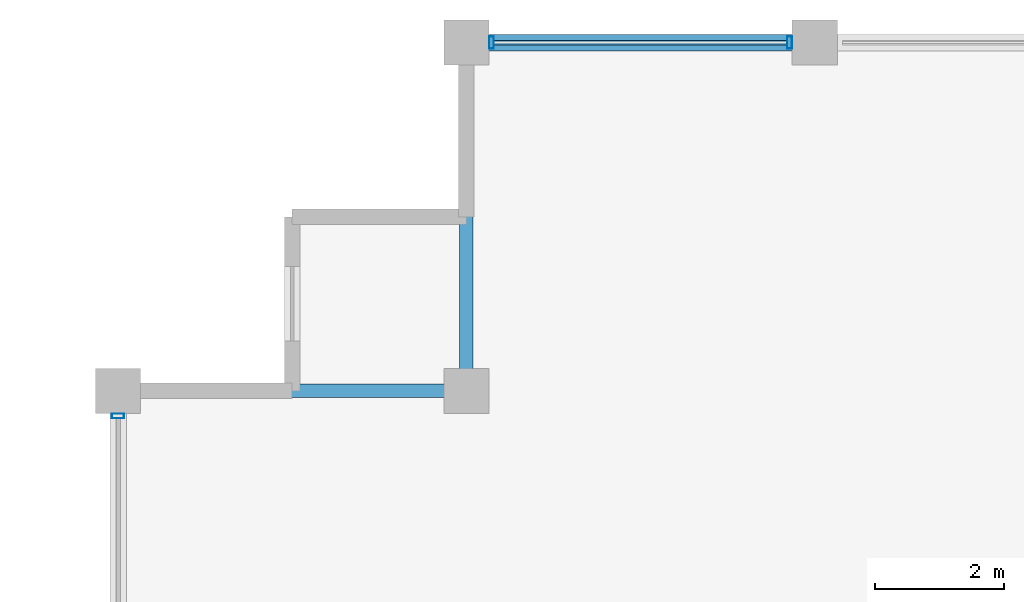
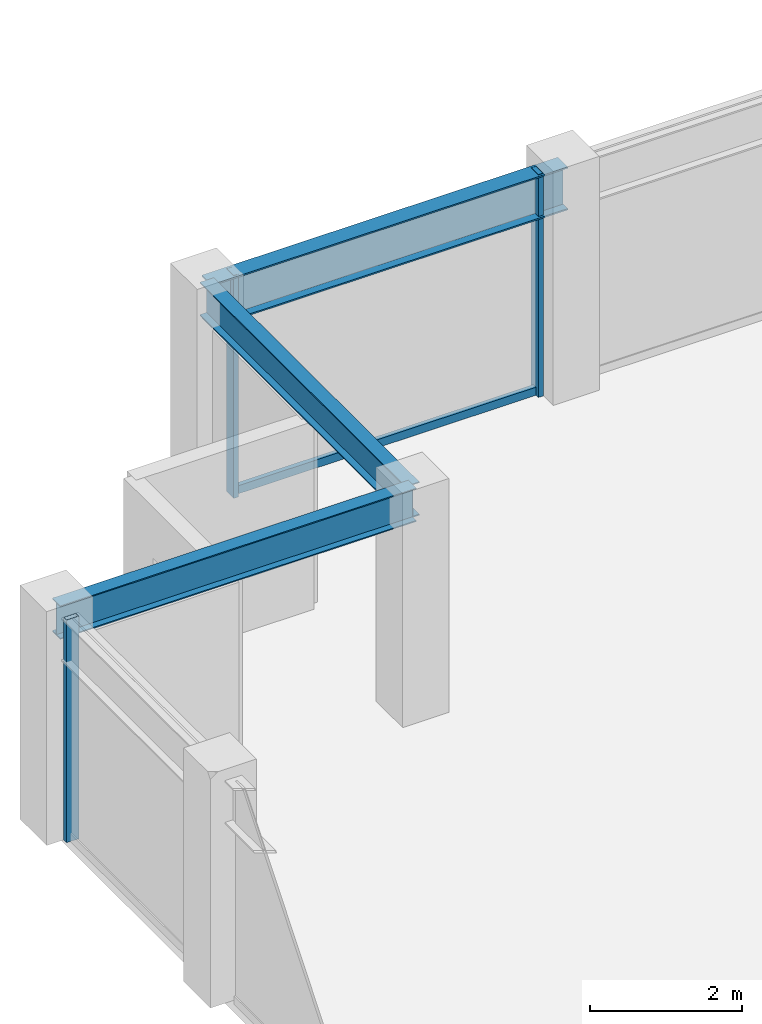
# One storey, part 14 of 29: 4 members, 3 beams, 2 elements without a shape of their own.
"""IFC4 building model written with IfcOpenShell, lengths in metres."""

from ifc_helpers import new_model, si_unit, direction, frame, origin, origin_2d, place, context, subcontext, project, spatial, hollow_rectangle, i_section, extrude, material, layer, layer_set, material_profile, profile_set, type_object, element, aggregate, save


model = new_model("IFC4")

# Units and contexts
model_context = context("Model", 3, precision=1e-05, world=origin(), true_north=direction((0.0, 1.0)))
body_context = subcontext(model_context, "Body", "Model", "MODEL_VIEW")
ifc_project = project(units=[si_unit("LENGTHUNIT", "METRE"), si_unit("AREAUNIT", "SQUARE_METRE"), si_unit("VOLUMEUNIT", "CUBIC_METRE"), si_unit("PLANEANGLEUNIT", "RADIAN"), si_unit("MASSUNIT", "GRAM", prefix="KILO")], contexts=[model_context])

# Site, building, storey
site_placement = place(None, origin())
site = spatial("IfcSite", under=ifc_project, at=site_placement, CompositionType="ELEMENT")
building_placement = place(site_placement, origin())
building = spatial("IfcBuilding", under=site, at=building_placement, Name="Surkhivell Harbour Commons", CompositionType="ELEMENT")
storey_placement = place(building_placement, frame((0.0, 0.0, 277.5)))
storey = spatial("IfcBuildingStorey", under=building, at=storey_placement, Name="L72", CompositionType="ELEMENT", Elevation=277.5)

# Beams
ifc_material_1 = material(Name="Steel S355", Category="steel")
ifc_material_profile_1 = material_profile(ifc_material_1, i_section(OverallWidth=0.2099609375, OverallDepth=0.537109375, WebThickness=0.0107421875, FlangeThickness=0.017333984375, at=origin_2d()), Name="UB533x210x101")
ifc_profile_set_1 = profile_set([ifc_material_profile_1], Name="Steel S355")
beam_type_1 = type_object("IfcBeamType", Name="BM-GRD-533B", PredefinedType="BEAM", material=ifc_profile_set_1)
for number, where, z_axis, x_axis, name in (
    (1, (-27.0, 20.5, 3.301513671875), (1.0, 0.0, 0.0), (0.0, 1.0, 0.0), "L72 Floor Girder (-27.0,20.5)"),
    (2, (-21.60009765625, 20.5, 3.301513671875), (0.0, 1.0, 0.0), (-1.0, 0.0, 0.0), "L72 Floor Girder (-21.6,20.5)"),
):
    element("IfcBeam", number, at=place(storey_placement, frame(where, z_axis=z_axis, x_axis=x_axis)), inside=storey, type_object=beam_type_1, Name=name, PredefinedType="BEAM", context=body_context, shape_type="SweptSolid", body=[
        extrude(i_section(OverallWidth=0.2099609375, OverallDepth=0.537109375, WebThickness=0.0107421875, FlangeThickness=0.017333984375, at=origin_2d()), origin(), (0.0, 0.0, 1.0), 5.39990234375),
    ])
ifc_material_profile_2 = material_profile(ifc_material_1, i_section(OverallWidth=0.256103515625, OverallDepth=0.693115234375, WebThickness=0.014404296875, FlangeThickness=0.023681640625, at=origin_2d()), Name="UB686x254x170")
ifc_profile_set_2 = profile_set([ifc_material_profile_2], Name="Steel S355")
beam_type_2 = type_object("IfcBeamType", Name="BM-SPN-686", PredefinedType="SPANDREL", material=ifc_profile_set_2)
beam_placement = place(storey_placement, frame((-21.60009765625, 25.89990234375, 3.223388671875), z_axis=(1.0, 0.0, 0.0), x_axis=(0.0, 1.0, 0.0)))
element("IfcBeam", 3, at=beam_placement, inside=storey, type_object=beam_type_2, Name="L72 Tube Spandrel (-21.6,25.9)", PredefinedType="SPANDREL", context=body_context, shape_type="SweptSolid", body=[
    extrude(i_section(OverallWidth=0.256103515625, OverallDepth=0.693115234375, WebThickness=0.014404296875, FlangeThickness=0.023681640625, at=origin_2d()), origin(), (0.0, 0.0, 1.0), 5.400146484375),
])

# Curtain wall, members
ifc_material_2 = material(Name="Anodised pale-metal aluminium and insulated glazing", Category="aluminium")
ifc_layer = layer(ifc_material_2, 0.175048828125)
ifc_layer_set = layer_set([ifc_layer], Name="Anodised pale-metal aluminium and insulated glazing")
curtain_wall_type = type_object("IfcCurtainWallType", Name="CW-SYS-Z4", PredefinedType="NOTDEFINED", material=ifc_layer_set)
curtain_wall_1_placement = place(storey_placement, origin())
curtain_wall_1 = element("IfcCurtainWall", 4, at=curtain_wall_1_placement, inside=storey, type_object=curtain_wall_type, Name="L72 Curtain Wall CW-L72-E07S2", PredefinedType="NOTDEFINED")
ifc_material_3 = material(Name="Anodised pale-metal aluminium alloy 6063-T6", Category="aluminium")
ifc_material_profile_3 = material_profile(ifc_material_3, hollow_rectangle(XDim=0.074951171875, YDim=0.18994140625, WallThickness=0.00390625, at=origin_2d()), Name="ALU-MULL-75x190")
ifc_profile_set_3 = profile_set([ifc_material_profile_3], Name="Anodised pale-metal aluminium alloy 6063-T6")
member_type_1 = type_object("IfcMemberType", Name="CWM-190", PredefinedType="MULLION", material=ifc_profile_set_3)
member_1_placement = place(storey_placement, frame((-16.589599609375, 25.89990234375, 0.0), z_axis=(0.0, 0.0, 1.0), x_axis=(-1.0, 0.0, 0.0)))
member_1 = element("IfcMember", 5, at=member_1_placement, type_object=member_type_1, Name="CW-Z4 mullion 3", PredefinedType="MULLION", context=body_context, shape_type="SweptSolid", body=[
    extrude(hollow_rectangle(XDim=0.074951171875, YDim=0.18994140625, WallThickness=0.00390625, at=origin_2d()), origin(), (0.0, 0.0, 1.0), 3.570068359375),
])
member_2_placement = place(storey_placement, frame((-21.21044921875, 25.89990234375, 0.0), z_axis=(0.0, 0.0, 1.0), x_axis=(-1.0, 0.0, 0.0)))
member_2 = element("IfcMember", 6, at=member_2_placement, type_object=member_type_1, Name="CW-Z4 mullion 4", PredefinedType="MULLION", context=body_context, shape_type="SweptSolid", body=[
    extrude(hollow_rectangle(XDim=0.074951171875, YDim=0.18994140625, WallThickness=0.00390625, at=origin_2d()), origin(), (0.0, 0.0, 1.0), 3.570068359375),
])

# Curtain wall, member
curtain_wall_2_placement = place(storey_placement, origin())
curtain_wall_2 = element("IfcCurtainWall", 7, at=curtain_wall_2_placement, inside=storey, type_object=curtain_wall_type, Name="L72 Curtain Wall CW-L72-E12R2", PredefinedType="NOTDEFINED")
member_3_placement = place(storey_placement, frame((-27.0, 20.110595703125, 0.0), z_axis=(0.0, 0.0, 1.0), x_axis=(0.0, 1.0, 0.0)))
member_3 = element("IfcMember", 8, at=member_3_placement, type_object=member_type_1, Name="CW-Z4 mullion 4", PredefinedType="MULLION", context=body_context, shape_type="SweptSolid", body=[
    extrude(hollow_rectangle(XDim=0.074951171875, YDim=0.18994140625, WallThickness=0.00390625, at=origin_2d()), origin(), (0.0, 0.0, 1.0), 3.570068359375),
])
aggregate(curtain_wall_2, [member_3])

# Member
ifc_material_4 = material(Name="Champagne anodised aluminium alloy 6063-T6", Category="aluminium")
ifc_material_profile_4 = material_profile(ifc_material_4, hollow_rectangle(XDim=0.070068359375, YDim=0.1298828125, WallThickness=0.00341796875, at=origin_2d()), Name="ALU-TRAN-70x130")
ifc_profile_set_4 = profile_set([ifc_material_profile_4], Name="Champagne anodised aluminium alloy 6063-T6")
member_type_2 = type_object("IfcMemberType", Name="CWT-130", PredefinedType="USERDEFINED", material=ifc_profile_set_4)
member_4_placement = place(storey_placement, frame((-16.626953125, 25.89990234375, 0.06494140625), z_axis=(-1.0, 0.0, 0.0), x_axis=(0.0, -1.0, 0.0)))
member_4 = element("IfcMember", 9, at=member_4_placement, type_object=member_type_2, Name="CW-Z4 transom 3.1", ObjectType="TRANSOM", PredefinedType="USERDEFINED", context=body_context, shape_type="SweptSolid", body=[
    extrude(hollow_rectangle(XDim=0.070068359375, YDim=0.1298828125, WallThickness=0.00341796875, at=origin_2d()), origin(), (0.0, 0.0, 1.0), 4.546142578125),
])

aggregate(curtain_wall_1, [member_1, member_2, member_4])

save(model, "model.ifc")
